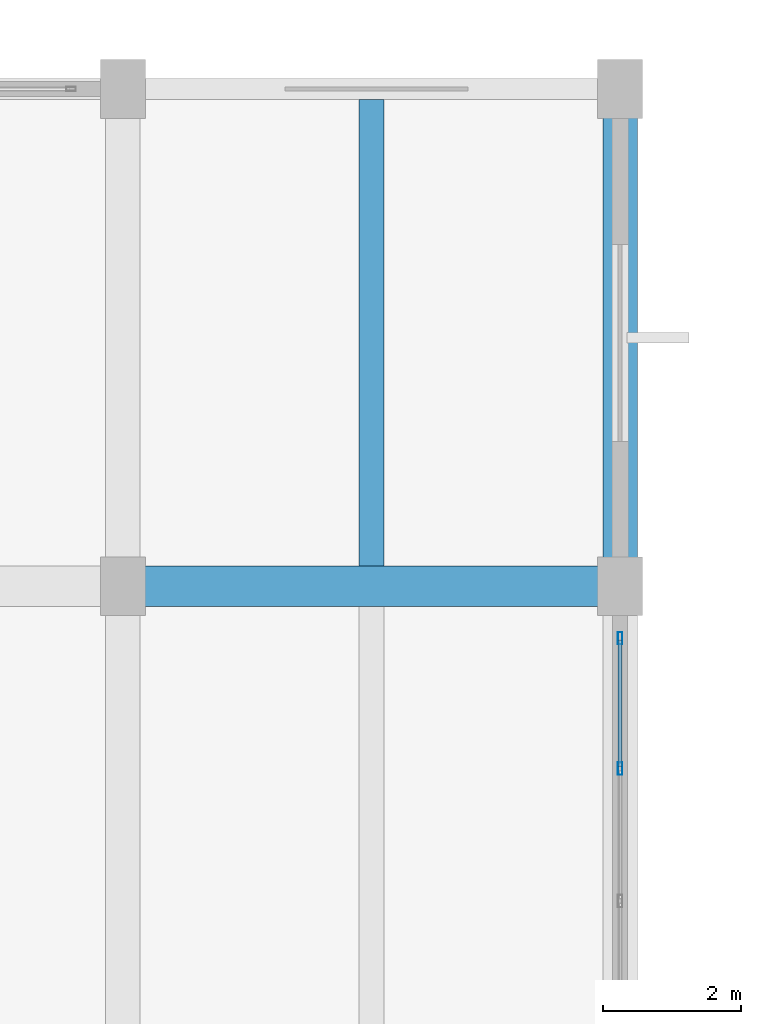
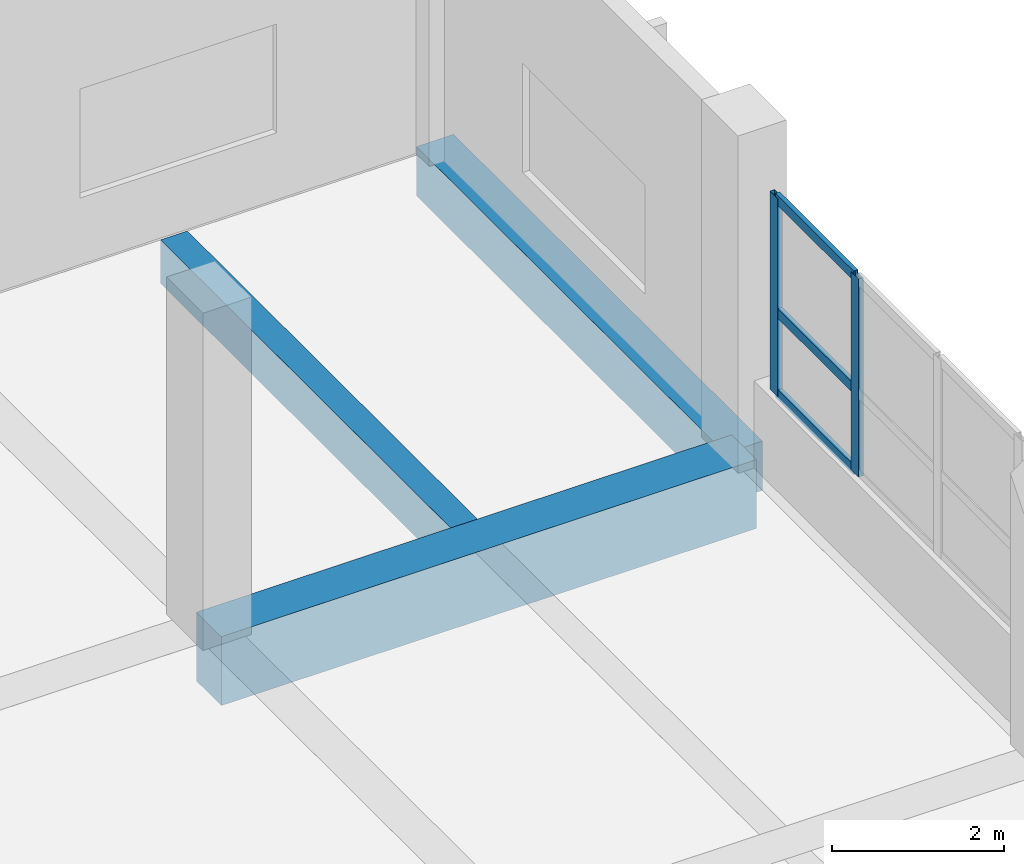
# One storey, part 141 of 181: 5 members, 3 beams, 1 element without a shape of its own.
"""IFC4 building model written with IfcOpenShell, lengths in metres."""

from ifc_helpers import new_model, si_unit, direction, frame, origin, origin_2d, place, context, subcontext, project, spatial, rectangle, hollow_rectangle, extrude, material, layer, layer_set, material_profile, profile_set, type_object, element, aggregate, save


model = new_model("IFC4")

# Units and contexts
model_context = context("Model", 3, precision=1e-05, world=origin(), true_north=direction((0.0, 1.0)))
body_context = subcontext(model_context, "Body", "Model", "MODEL_VIEW")
ifc_project = project(units=[si_unit("LENGTHUNIT", "METRE"), si_unit("AREAUNIT", "SQUARE_METRE"), si_unit("VOLUMEUNIT", "CUBIC_METRE"), si_unit("PLANEANGLEUNIT", "RADIAN"), si_unit("MASSUNIT", "GRAM", prefix="KILO")], contexts=[model_context])

# Site, building, storey
site_placement = place(None, origin())
site = spatial("IfcSite", under=ifc_project, at=site_placement, CompositionType="ELEMENT")
building_placement = place(site_placement, origin())
building = spatial("IfcBuilding", under=site, at=building_placement, Name="Seraya Terrace Polytechnic", CompositionType="ELEMENT")
storey_placement = place(building_placement, frame((0.0, 0.0, 4.800048828125)))
storey = spatial("IfcBuildingStorey", under=building, at=storey_placement, Name="L01", CompositionType="ELEMENT", Elevation=4.800048828125)

# Beams
ifc_material_1 = material(Name="Concrete C40/50", Category="concrete")
ifc_material_profile_1 = material_profile(ifc_material_1, rectangle(XDim=0.580078125, YDim=0.97998046875, at=origin_2d()), Name="RC 580x980")
ifc_profile_set_1 = profile_set([ifc_material_profile_1], Name="Concrete C40/50")
beam_type_1 = type_object("IfcBeamType", Name="BM-02", PredefinedType="BEAM", material=ifc_profile_set_1)
beam_1_placement = place(storey_placement, frame((151.199951171875, 108.0, -0.489990234375), z_axis=(1.0, 0.0, 0.0), x_axis=(0.0, 1.0, 0.0)))
element("IfcBeam", 1, at=beam_1_placement, inside=storey, type_object=beam_type_1, Name="Beam BM-02 L01 X (151.2..158.4, 108.0)", PredefinedType="BEAM", context=body_context, shape_type="SweptSolid", body=[
    extrude(rectangle(XDim=0.580078125, YDim=0.97998046875, at=origin_2d()), origin(), (0.0, 0.0, 1.0), 7.199951171875),
])
ifc_material_profile_2 = material_profile(ifc_material_1, rectangle(XDim=0.5, YDim=0.699951171875, at=origin_2d()), Name="RC 500x700")
ifc_profile_set_2 = profile_set([ifc_material_profile_2], Name="Concrete C40/50")
beam_type_2 = type_object("IfcBeamType", Name="BM-07", PredefinedType="BEAM", material=ifc_profile_set_2)
beam_2_placement = place(storey_placement, frame((158.39990234375, 108.0, -0.35009765625), z_axis=(0.0, 1.0, 0.0), x_axis=(-1.0, 0.0, 0.0)))
element("IfcBeam", 2, at=beam_2_placement, inside=storey, type_object=beam_type_2, Name="Beam BM-07 L01 Y (158.4, 108.0..115.2)", PredefinedType="BEAM", context=body_context, shape_type="SweptSolid", body=[
    extrude(rectangle(XDim=0.5, YDim=0.699951171875, at=origin_2d()), origin(), (0.0, 0.0, 1.0), 7.199951171875),
])

# Curtain wall, members
ifc_material_2 = material(Name="Anodised aluminium EN AW-6063 T6", Category="aluminium")
ifc_layer = layer(ifc_material_2, 0.179931640625, Name="CW-19")
ifc_layer_set = layer_set([ifc_layer], Name="Anodised aluminium EN AW-6063 T6")
curtain_wall_type = type_object("IfcCurtainWallType", Name="CW-19", PredefinedType="NOTDEFINED", material=ifc_layer_set)
curtain_wall_placement = place(storey_placement, origin())
curtain_wall = element("IfcCurtainWall", 3, at=curtain_wall_placement, inside=storey, type_object=curtain_wall_type, Name="Unitised curtain wall CW-19 (CW-L01-019)", PredefinedType="NOTDEFINED")
ifc_material_profile_3 = material_profile(ifc_material_2, hollow_rectangle(XDim=0.06494140625, YDim=0.179931640625, WallThickness=0.00390625, at=origin_2d()), Name="RHS 180x65x4.0")
ifc_profile_set_3 = profile_set([ifc_material_profile_3], Name="Anodised aluminium EN AW-6063 T6")
member_type_1 = type_object("IfcMemberType", Name="CWM-01", PredefinedType="MULLION", material=ifc_profile_set_3)
member_1_placement = place(storey_placement, frame((158.39990234375, 107.24755859375, 1.239990234375), z_axis=(0.0, 0.0, 1.0), x_axis=(1.0, 0.0, 0.0)))
member_1 = element("IfcMember", 4, at=member_1_placement, type_object=member_type_1, Name="CW-19 mullion 1", PredefinedType="MULLION", context=body_context, shape_type="SweptSolid", body=[
    extrude(hollow_rectangle(XDim=0.06494140625, YDim=0.179931640625, WallThickness=0.00390625, at=origin_2d()), origin(), (0.0, 0.0, 1.0), 2.820068359375),
])
member_2_placement = place(storey_placement, frame((158.39990234375, 105.360107421875, 1.239990234375), z_axis=(0.0, 0.0, 1.0), x_axis=(1.0, 0.0, 0.0)))
member_2 = element("IfcMember", 5, at=member_2_placement, type_object=member_type_1, Name="CW-19 mullion 2", PredefinedType="MULLION", context=body_context, shape_type="SweptSolid", body=[
    extrude(hollow_rectangle(XDim=0.06494140625, YDim=0.179931640625, WallThickness=0.00390625, at=origin_2d()), origin(), (0.0, 0.0, 1.0), 2.820068359375),
])
ifc_material_profile_4 = material_profile(ifc_material_2, hollow_rectangle(XDim=0.06005859375, YDim=0.139892578125, WallThickness=0.00341796875, at=origin_2d()), Name="RHS 140x60x3.5")
ifc_profile_set_4 = profile_set([ifc_material_profile_4], Name="Anodised aluminium EN AW-6063 T6")
member_type_2 = type_object("IfcMemberType", Name="CWT-01", PredefinedType="USERDEFINED", material=ifc_profile_set_4)
member_3_placement = place(storey_placement, frame((158.39990234375, 107.215087890625, 1.27001953125), z_axis=(0.0, -1.0, 0.0), x_axis=(1.0, 0.0, 0.0)))
member_3 = element("IfcMember", 6, at=member_3_placement, type_object=member_type_2, Name="CW-19 transom 1.1", ObjectType="TRANSOM", PredefinedType="USERDEFINED", context=body_context, shape_type="SweptSolid", body=[
    extrude(hollow_rectangle(XDim=0.06005859375, YDim=0.139892578125, WallThickness=0.00341796875, at=origin_2d()), origin(), (0.0, 0.0, 1.0), 1.822509765625),
])
member_4_placement = place(storey_placement, frame((158.39990234375, 107.215087890625, 2.42431640625), z_axis=(0.0, -1.0, 0.0), x_axis=(1.0, 0.0, 0.0)))
member_4 = element("IfcMember", 7, at=member_4_placement, type_object=member_type_2, Name="CW-19 transom 1.2", ObjectType="TRANSOM", PredefinedType="USERDEFINED", context=body_context, shape_type="SweptSolid", body=[
    extrude(hollow_rectangle(XDim=0.06005859375, YDim=0.139892578125, WallThickness=0.00341796875, at=origin_2d()), origin(), (0.0, 0.0, 1.0), 1.822509765625),
])
member_5_placement = place(storey_placement, frame((158.39990234375, 107.215087890625, 4.030029296875), z_axis=(0.0, -1.0, 0.0), x_axis=(1.0, 0.0, 0.0)))
member_5 = element("IfcMember", 8, at=member_5_placement, type_object=member_type_2, Name="CW-19 transom 1.3", ObjectType="TRANSOM", PredefinedType="USERDEFINED", context=body_context, shape_type="SweptSolid", body=[
    extrude(hollow_rectangle(XDim=0.06005859375, YDim=0.139892578125, WallThickness=0.00341796875, at=origin_2d()), origin(), (0.0, 0.0, 1.0), 1.822509765625),
])
aggregate(curtain_wall, [member_1, member_2, member_3, member_4, member_5])

# Beam
ifc_material_profile_5 = material_profile(ifc_material_1, rectangle(XDim=0.360107421875, YDim=0.6201171875, at=origin_2d()), Name="RC 360x620")
ifc_profile_set_5 = profile_set([ifc_material_profile_5], Name="Concrete C40/50")
beam_type_3 = type_object("IfcBeamType", Name="JS-01", PredefinedType="JOIST", material=ifc_profile_set_5)
beam_3_placement = place(storey_placement, frame((154.800048828125, 108.2900390625, -0.31005859375), z_axis=(0.0, 1.0, 0.0), x_axis=(-1.0, 0.0, 0.0)))
element("IfcBeam", 9, at=beam_3_placement, inside=storey, type_object=beam_type_3, Name="Secondary joist JS-01 L01", PredefinedType="JOIST", context=body_context, shape_type="SweptSolid", body=[
    extrude(rectangle(XDim=0.360107421875, YDim=0.6201171875, at=origin_2d()), origin(), (0.0, 0.0, 1.0), 6.760009765625),
])

save(model, "model.ifc")
